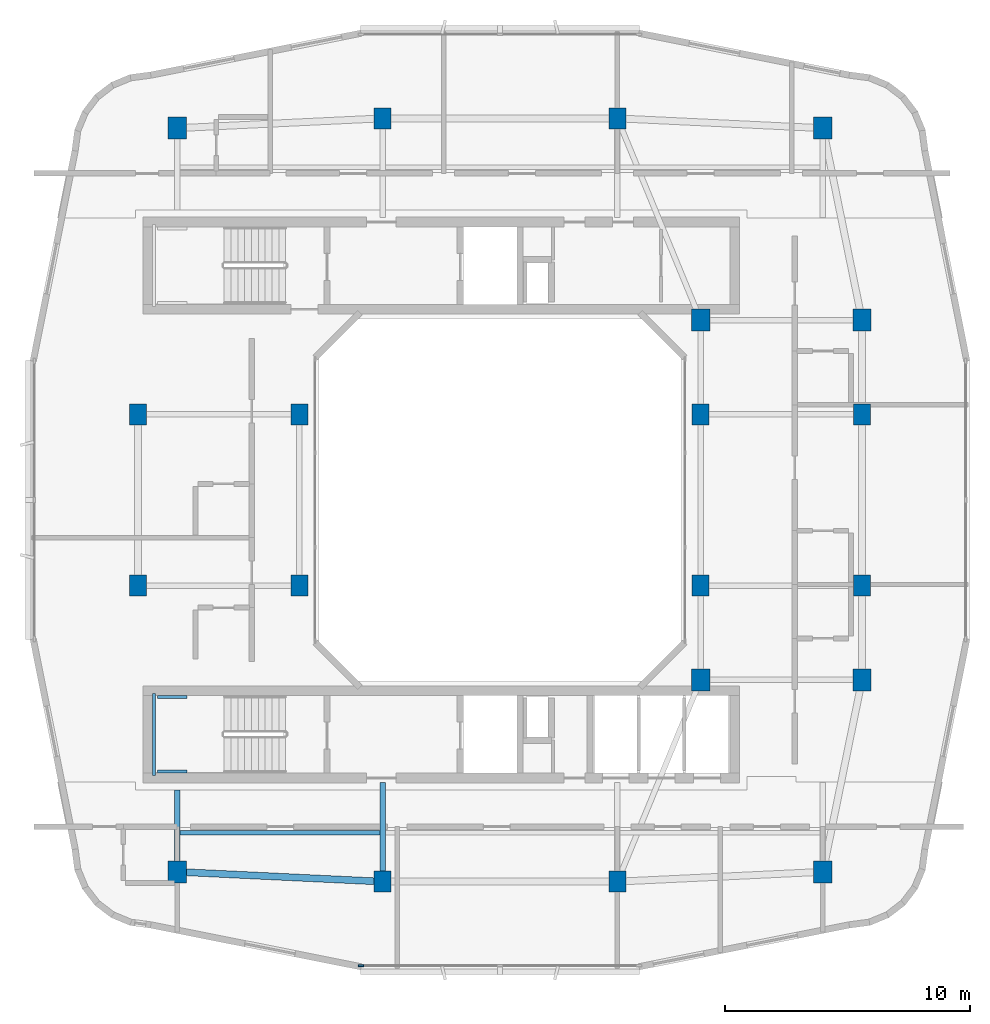
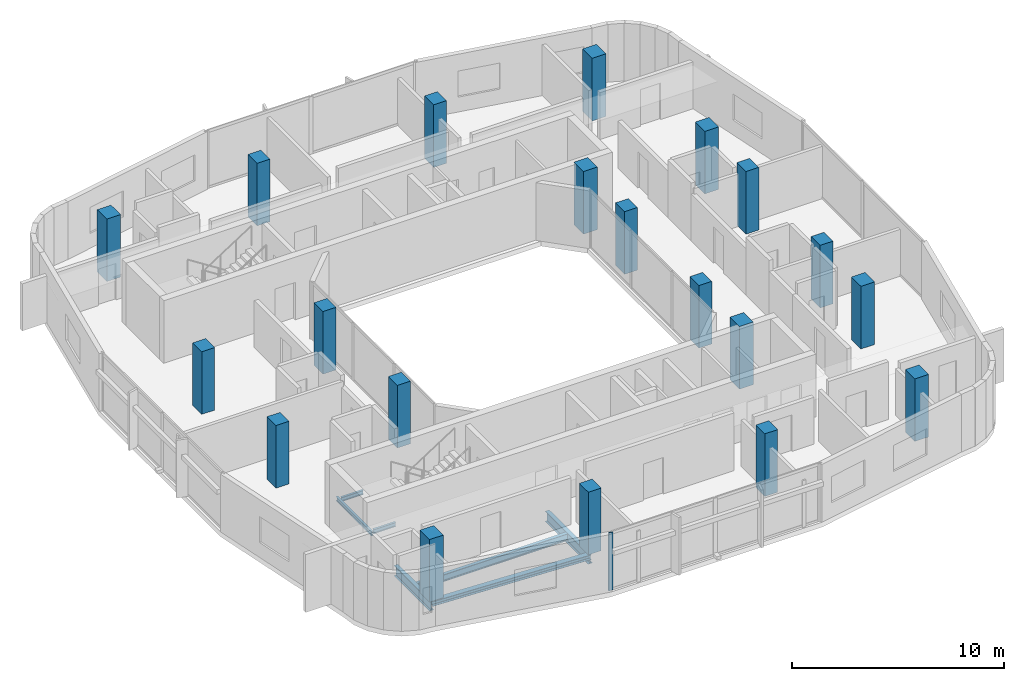
# One storey, part 1 of 14: 20 columns, 7 beams, 1 member, 1 element without a shape of its own.
"""IFC4 building model written with IfcOpenShell, lengths in metres."""

from ifc_helpers import new_model, si_unit, derived_unit, direction, frame, origin, origin_2d, place, context, subcontext, project, spatial, rectangle, i_section, extrude, material, layer, layer_set, material_profile, profile_set, type_object, element, aggregate, save


model = new_model("IFC4")

# Units and contexts
model_context = context("Model", 3, precision=1e-05, world=origin(), true_north=direction((0.0, 1.0)))
body_context = subcontext(model_context, "Body", "Model", "MODEL_VIEW")
ifc_project = project(units=[si_unit("LENGTHUNIT", "METRE"), si_unit("AREAUNIT", "SQUARE_METRE"), si_unit("VOLUMEUNIT", "CUBIC_METRE"), si_unit("PLANEANGLEUNIT", "RADIAN"), si_unit("MASSUNIT", "GRAM", prefix="KILO"), derived_unit("THERMALTRANSMITTANCEUNIT", [(si_unit("POWERUNIT", "WATT"), 1), (si_unit("LENGTHUNIT", "METRE"), -2), (si_unit("THERMODYNAMICTEMPERATUREUNIT", "KELVIN"), -1)])], contexts=[model_context])

# Site, building, storey
site_placement = place(None, origin())
site = spatial("IfcSite", under=ifc_project, at=site_placement, CompositionType="ELEMENT")
building_placement = place(site_placement, origin())
building = spatial("IfcBuilding", under=site, at=building_placement, Name="Kivonza Crest Hotel", CompositionType="ELEMENT")
storey_placement = place(building_placement, frame((0.0, 0.0, 209.89990234375)))
storey = spatial("IfcBuildingStorey", under=building, at=storey_placement, Name="L57", CompositionType="ELEMENT", Elevation=209.89990234375)

# Columns
ifc_material_1 = material(Name="Concrete C50/60", Category="concrete")
ifc_material_profile_1 = material_profile(ifc_material_1, rectangle(XDim=0.699951171875, YDim=0.85009765625, at=origin_2d()), Name="RC 850x700")
ifc_profile_set_1 = profile_set([ifc_material_profile_1], Name="Concrete C50/60")
column_type_1 = type_object("IfcColumnType", Name="CL-RC-850x700", PredefinedType="COLUMN", material=ifc_profile_set_1)
for number, where, z_axis, x_axis, name in (
    (1, (16.199951171875, 9.39990234375, 0.0), (0.0, 0.0, 1.0), (1.0, 0.0, 0.0), "Tower T1 L57 column S1"),
    (2, (25.800048828125, 9.39990234375, 0.0), (0.0, 0.0, 1.0), (1.0, 0.0, 0.0), "Tower T1 L57 column S2"),
    (3, (16.199951171875, 40.60009765625, 0.0), (0.0, 0.0, 1.0), (1.0, 0.0, 0.0), "Tower T1 L57 column N1"),
    (4, (25.800048828125, 40.60009765625, 0.0), (0.0, 0.0, 1.0), (1.0, 0.0, 0.0), "Tower T1 L57 column N2"),
    (5, (6.199951171875, 21.5, 0.0), (0.0, 0.0, 1.0), (1.0, 0.0, 0.0), "Tower T1 L57 column W1"),
    (6, (6.199951171875, 28.5, 0.0), (0.0, 0.0, 1.0), (1.0, 0.0, 0.0), "Tower T1 L57 column W2"),
    (7, (35.800048828125, 21.5, 0.0), (0.0, 0.0, 1.0), (1.0, 0.0, 0.0), "Tower T1 L57 column E1"),
    (8, (35.800048828125, 28.5, 0.0), (0.0, 0.0, 1.0), (1.0, 0.0, 0.0), "Tower T1 L57 column E2"),
    (9, (12.800048828125, 21.5, 0.0), (0.0, 0.0, 1.0), (1.0, 0.0, 0.0), "Tower T1 L57 column WL1"),
    (10, (12.800048828125, 28.5, 0.0), (0.0, 0.0, 1.0), (1.0, 0.0, 0.0), "Tower T1 L57 column WL2"),
    (11, (29.199951171875, 21.5, 0.0), (0.0, 0.0, 1.0), (1.0, 0.0, 0.0), "Tower T1 L57 column WR1"),
    (12, (29.199951171875, 28.5, 0.0), (0.0, 0.0, 1.0), (1.0, 0.0, 0.0), "Tower T1 L57 column WR2"),
):
    element("IfcColumn", number, at=place(storey_placement, frame(where, z_axis=z_axis, x_axis=x_axis)), inside=storey, type_object=column_type_1, Name=name, PredefinedType="COLUMN", context=body_context, shape_type="SweptSolid", body=[
        extrude(rectangle(XDim=0.699951171875, YDim=0.85009765625, at=origin_2d()), origin(), (0.0, 0.0, 1.0), 3.60009765625),
    ])
ifc_material_profile_2 = material_profile(ifc_material_1, rectangle(XDim=0.75, YDim=0.89990234375, at=origin_2d()), Name="RC 900x750")
ifc_profile_set_2 = profile_set([ifc_material_profile_2], Name="Concrete C50/60")
column_type_2 = type_object("IfcColumnType", Name="CL-RC-900x750", PredefinedType="COLUMN", material=ifc_profile_set_2)
for number, where, z_axis, x_axis, name in (
    (13, (7.800048828125, 9.800048828125, 0.0), (0.0, 0.0, 1.0), (1.0, 0.0, 0.0), "Tower T1 L57 column SW"),
    (14, (34.199951171875, 9.800048828125, 0.0), (0.0, 0.0, 1.0), (1.0, 0.0, 0.0), "Tower T1 L57 column SE"),
    (15, (34.199951171875, 40.199951171875, 0.0), (0.0, 0.0, 1.0), (1.0, 0.0, 0.0), "Tower T1 L57 column NE"),
    (16, (7.800048828125, 40.199951171875, 0.0), (0.0, 0.0, 1.0), (1.0, 0.0, 0.0), "Tower T1 L57 column NW"),
    (17, (35.800048828125, 17.64990234375, 0.0), (0.0, 0.0, 1.0), (1.0, 0.0, 0.0), "Tower T1 L57 column PSE"),
    (18, (35.800048828125, 32.35009765625, 0.0), (0.0, 0.0, 1.0), (1.0, 0.0, 0.0), "Tower T1 L57 column PNE"),
    (19, (29.199951171875, 17.64990234375, 0.0), (0.0, 0.0, 1.0), (1.0, 0.0, 0.0), "Tower T1 L57 column TSE"),
    (20, (29.199951171875, 32.35009765625, 0.0), (0.0, 0.0, 1.0), (1.0, 0.0, 0.0), "Tower T1 L57 column TNE"),
):
    element("IfcColumn", number, at=place(storey_placement, frame(where, z_axis=z_axis, x_axis=x_axis)), inside=storey, type_object=column_type_2, Name=name, PredefinedType="COLUMN", context=body_context, shape_type="SweptSolid", body=[
        extrude(rectangle(XDim=0.75, YDim=0.89990234375, at=origin_2d()), origin(), (0.0, 0.0, 1.0), 3.60009765625),
    ])

# Beams
ifc_material_2 = material(Name="Steel S355", Category="steel")
ifc_material_profile_3 = material_profile(ifc_material_2, i_section(OverallWidth=0.280029296875, OverallDepth=0.280029296875, WebThickness=0.010498046875, FlangeThickness=0.01806640625, FilletRadius=0.02392578125, at=origin_2d()), Name="HEB 280")
ifc_profile_set_3 = profile_set([ifc_material_profile_3], Name="Steel S355")
beam_type_1 = type_object("IfcBeamType", Name="BM-HEB280", PredefinedType="SPANDREL", material=ifc_profile_set_3)
beam_1_placement = place(storey_placement, frame((7.800048828125, 9.800048828125, -0.419921875), z_axis=(0.998867283688, -0.047583080799, 0.0), x_axis=(0.047583080799, 0.998867283688, 0.0)))
element("IfcBeam", 21, at=beam_1_placement, inside=storey, type_object=beam_type_1, Name="Tower T1 L57 perimeter spandrel SW-S1", PredefinedType="SPANDREL", context=body_context, shape_type="SweptSolid", body=[
    extrude(i_section(OverallWidth=0.280029296875, OverallDepth=0.280029296875, WebThickness=0.010498046875, FlangeThickness=0.01806640625, FilletRadius=0.02392578125, at=origin_2d()), origin(), (0.0, 0.0, 1.0), 8.409423828125),
])
ifc_material_profile_4 = material_profile(ifc_material_2, i_section(OverallWidth=0.179931640625, OverallDepth=0.39990234375, WebThickness=0.008544921875, FlangeThickness=0.013427734375, FilletRadius=0.02099609375, at=origin_2d()), Name="IPE 400")
ifc_profile_set_4 = profile_set([ifc_material_profile_4], Name="Steel S355")
beam_type_2 = type_object("IfcBeamType", Name="BM-IPE400", PredefinedType="JOIST", material=ifc_profile_set_4)
beam_2_placement = place(storey_placement, frame((7.8798828125, 11.39990234375, -0.47998046875), z_axis=(1.0, 0.0, 0.0), x_axis=(0.0, 1.0, 0.0)))
element("IfcBeam", 22, at=beam_2_placement, inside=storey, type_object=beam_type_2, Name="Tower T1 L57 South-West floor joist", PredefinedType="JOIST", context=body_context, shape_type="SweptSolid", body=[
    extrude(i_section(OverallWidth=0.179931640625, OverallDepth=0.39990234375, WebThickness=0.008544921875, FlangeThickness=0.013427734375, FilletRadius=0.02099609375, at=origin_2d()), origin(), (0.0, 0.0, 1.0), 8.240234375),
])
ifc_material_profile_5 = material_profile(ifc_material_2, i_section(OverallWidth=0.219970703125, OverallDepth=0.60009765625, WebThickness=0.011962890625, FlangeThickness=0.01904296875, FilletRadius=0.02392578125, at=origin_2d()), Name="IPE 600")
ifc_profile_set_5 = profile_set([ifc_material_profile_5], Name="Steel S355")
beam_type_3 = type_object("IfcBeamType", Name="BM-IPE600", PredefinedType="BEAM", material=ifc_profile_set_5)
beam_3_placement = place(storey_placement, frame((7.800048828125, 9.800048828125, -0.579833984375), z_axis=(0.0, 1.0, 0.0), x_axis=(-1.0, 0.0, 0.0)))
element("IfcBeam", 23, at=beam_3_placement, inside=storey, type_object=beam_type_3, Name="Tower T1 L57 radial core girder RSW", PredefinedType="BEAM", context=body_context, shape_type="SweptSolid", body=[
    extrude(i_section(OverallWidth=0.219970703125, OverallDepth=0.60009765625, WebThickness=0.011962890625, FlangeThickness=0.01904296875, FilletRadius=0.02392578125, at=origin_2d()), origin(), (0.0, 0.0, 1.0), 3.349853515625),
])
beam_4_placement = place(storey_placement, frame((16.199951171875, 9.39990234375, -0.579833984375), z_axis=(0.0, 1.0, 0.0), x_axis=(-1.0, 0.0, 0.0)))
element("IfcBeam", 24, at=beam_4_placement, inside=storey, type_object=beam_type_3, Name="Tower T1 L57 radial core girder RS1", PredefinedType="BEAM", context=body_context, shape_type="SweptSolid", body=[
    extrude(i_section(OverallWidth=0.219970703125, OverallDepth=0.60009765625, WebThickness=0.011962890625, FlangeThickness=0.01904296875, FilletRadius=0.02392578125, at=origin_2d()), origin(), (0.0, 0.0, 1.0), 4.050048828125),
])
ifc_material_profile_6 = material_profile(ifc_material_2, i_section(OverallWidth=0.1201171875, OverallDepth=0.239990234375, WebThickness=0.006103515625, FlangeThickness=0.009765625, FilletRadius=0.014892578125, at=origin_2d()), Name="IPE 240")
ifc_profile_set_6 = profile_set([ifc_material_profile_6], Name="Steel S355")
beam_type_4 = type_object("IfcBeamType", Name="BM-LLDG-240", PredefinedType="BEAM", material=ifc_profile_set_6)
beam_5_placement = place(storey_placement, frame((6.860107421875, 13.739990234375, 1.47998046875), z_axis=(0.0, 1.0, 0.0), x_axis=(-1.0, 0.0, 0.0)))
element("IfcBeam", 25, at=beam_5_placement, inside=storey, type_object=beam_type_4, Name="Stair ST-T1-S L57 West landing corbel", PredefinedType="BEAM", context=body_context, shape_type="SweptSolid", body=[
    extrude(i_section(OverallWidth=0.1201171875, OverallDepth=0.239990234375, WebThickness=0.006103515625, FlangeThickness=0.009765625, FilletRadius=0.014892578125, at=origin_2d()), origin(), (0.0, 0.0, 1.0), 3.360107421875),
])
for number, where, z_axis, x_axis, name in (
    (26, (6.989990234375, 13.89990234375, 1.47998046875), (1.0, 0.0, 0.0), (0.0, 1.0, 0.0), "Stair ST-T1-S L57 South landing corbel"),
    (27, (6.989990234375, 16.93994140625, 1.47998046875), (1.0, 0.0, 0.0), (0.0, 1.0, 0.0), "Stair ST-T1-S L57 North landing corbel"),
):
    element("IfcBeam", number, at=place(storey_placement, frame(where, z_axis=z_axis, x_axis=x_axis)), inside=storey, type_object=beam_type_4, Name=name, PredefinedType="BEAM", context=body_context, shape_type="SweptSolid", body=[
        extrude(i_section(OverallWidth=0.1201171875, OverallDepth=0.239990234375, WebThickness=0.006103515625, FlangeThickness=0.009765625, FilletRadius=0.014892578125, at=origin_2d()), origin(), (0.0, 0.0, 1.0), 1.2099609375),
    ])

# Curtain wall, member
ifc_material_3 = material(Name="Anodised bronze aluminium and low-E double glazing", Category="aluminium")
ifc_layer = layer(ifc_material_3, 0.179931640625)
ifc_layer_set = layer_set([ifc_layer], Name="Anodised bronze aluminium and low-E double glazing")
curtain_wall_type = type_object("IfcCurtainWallType", Name="CW-SYS-3", PredefinedType="NOTDEFINED", material=ifc_layer_set)
curtain_wall_placement = place(storey_placement, origin())
curtain_wall = element("IfcCurtainWall", 28, at=curtain_wall_placement, inside=storey, type_object=curtain_wall_type, Name="L57 unitised curtain wall CW-T1-L57-08", PredefinedType="NOTDEFINED")
ifc_material_4 = material(Name="Anodised bronze aluminium", Category="aluminium")
ifc_material_profile_7 = material_profile(ifc_material_4, rectangle(XDim=0.074951171875, YDim=0.219970703125, at=origin_2d()), Name="CW-M 75x220")
ifc_profile_set_7 = profile_set([ifc_material_profile_7], Name="Anodised bronze aluminium")
member_type = type_object("IfcMemberType", Name="CW-MUL-75x220", PredefinedType="MULLION", material=ifc_profile_set_7)
member_placement = place(storey_placement, frame((15.3173828125, 5.9599609375, 0.0), z_axis=(0.0, 0.0, 1.0), x_axis=(0.0, 1.0, 0.0)))
member = element("IfcMember", 29, at=member_placement, type_object=member_type, Name="CW-3 mullion 1", PredefinedType="MULLION", context=body_context, shape_type="SweptSolid", body=[
    extrude(rectangle(XDim=0.074951171875, YDim=0.219970703125, at=origin_2d()), origin(), (0.0, 0.0, 1.0), 3.320068359375),
])
aggregate(curtain_wall, [member])

save(model, "model.ifc")
